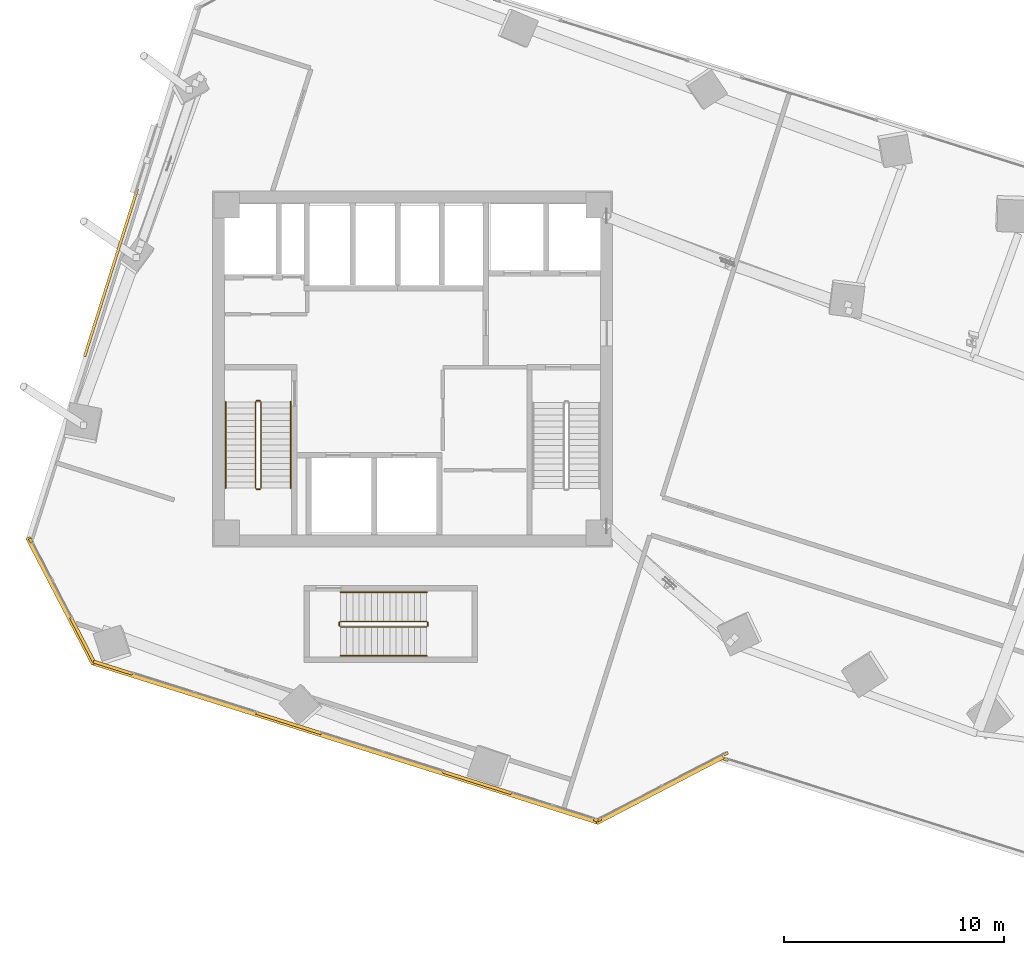
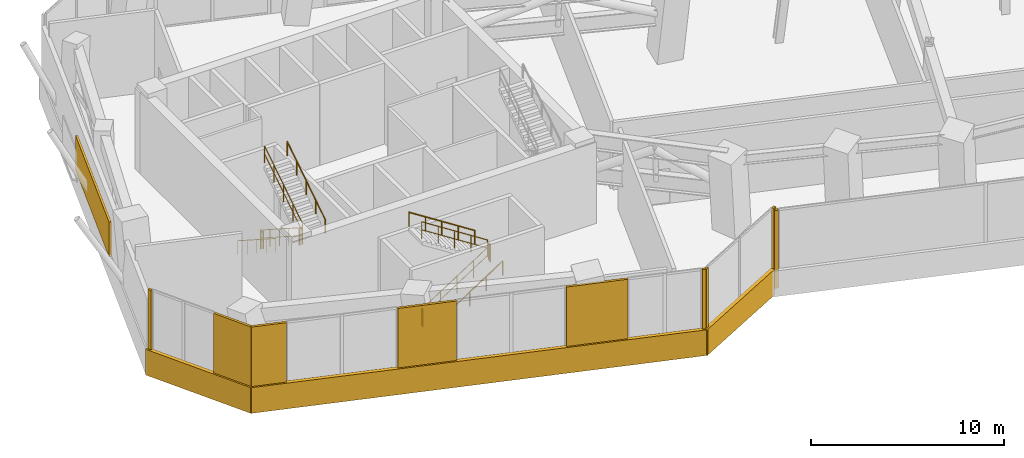
# One storey, part 25 of 29: 12 coverings, 12 railings, 1 shading device.
"""IFC4 building model written with IfcOpenShell, lengths in metres."""

from ifc_helpers import new_model, si_unit, direction, frame, origin, origin_2d, place, context, subcontext, project, spatial, rectangle, circle, extrude, source, transform, mapped, material, layer, layer_set, type_object, element, save


model = new_model("IFC4")

# Units and contexts
model_context = context("Model", 3, precision=1e-05, world=origin(), true_north=direction((0.0, 1.0)))
body_context = subcontext(model_context, "Body", "Model", "MODEL_VIEW")
ifc_project = project(units=[si_unit("LENGTHUNIT", "METRE"), si_unit("AREAUNIT", "SQUARE_METRE"), si_unit("VOLUMEUNIT", "CUBIC_METRE"), si_unit("PLANEANGLEUNIT", "RADIAN"), si_unit("MASSUNIT", "GRAM", prefix="KILO")], contexts=[model_context])

# Site, building, storey
site_placement = place(None, origin())
site = spatial("IfcSite", under=ifc_project, at=site_placement, CompositionType="ELEMENT")
building_placement = place(site_placement, origin())
building = spatial("IfcBuilding", under=site, at=building_placement, Name="Torre Montelarca", CompositionType="ELEMENT")
storey_placement = place(building_placement, frame((0.0, 0.0, 122.199951171875)))
storey = spatial("IfcBuildingStorey", under=building, at=storey_placement, Name="L27", CompositionType="ELEMENT", Elevation=122.199951171875)

# Railings
ifc_material_1 = material(Name="Powder-coated steel ASTM A500 Grade C", Category="steel")
railing_type_1 = type_object("IfcRailingType", Name="RL-GUARD-1100", PredefinedType="BALUSTRADE", material=ifc_material_1)
railing_1_placement = place(storey_placement, frame((10.85009765625, 30.5, 0.179931640625)))
element("IfcRailing", 1, at=railing_1_placement, inside=storey, type_object=railing_type_1, Name="L27 ST1 stair guard 1", PredefinedType="BALUSTRADE", context=body_context, shape_type="SweptSolid", body=[
    extrude(circle(Radius=0.02392578125, at=origin_2d()), frame((0.0, 0.0, 1.076171875), z_axis=(0.0, -0.841171666519, 0.540768182723), x_axis=(1.0, 0.0, 0.0)), (0.0, 0.0, 1.0), 4.66015625),
    extrude(circle(Radius=0.02099609375, at=origin_2d()), frame((0.0, 0.0, 0.572021484375), z_axis=(0.0, -0.841171666519, 0.540768182723), x_axis=(1.0, 0.0, 0.0)), (0.0, 0.0, 1.0), 4.66015625),
    extrude(circle(Radius=0.02099609375, at=origin_2d()), origin(), (0.0, 0.0, 1.0), 1.052001953125),
    extrude(circle(Radius=0.02099609375, at=origin_2d()), frame((0.0, -0.97998046875, 0.6298828125)), (0.0, 0.0, 1.0), 1.052001953125),
    extrude(circle(Radius=0.02099609375, at=origin_2d()), frame((0.0, -1.9599609375, 1.260009765625)), (0.0, 0.0, 1.0), 1.052001953125),
    extrude(circle(Radius=0.02099609375, at=origin_2d()), frame((0.0, -2.93994140625, 1.89013671875)), (0.0, 0.0, 1.0), 1.052001953125),
    extrude(circle(Radius=0.02099609375, at=origin_2d()), frame((0.0, -3.919921875, 2.52001953125)), (0.0, 0.0, 1.0), 1.052001953125),
])
railing_2_placement = place(storey_placement, frame((10.89990234375, 26.530029296875, 2.699951171875)))
element("IfcRailing", 2, at=railing_2_placement, inside=storey, type_object=railing_type_1, Name="L27 ST1 stair guard 2", PredefinedType="BALUSTRADE", context=body_context, shape_type="SweptSolid", body=[
    extrude(circle(Radius=0.02392578125, at=origin_2d()), frame((0.0, 0.0, 1.076171875), z_axis=(1.0, 0.0, 0.0), x_axis=(0.0, 1.0, 0.0)), (0.0, 0.0, 1.0), 0.150146484375),
    extrude(circle(Radius=0.02099609375, at=origin_2d()), frame((0.0, 0.0, 0.572021484375), z_axis=(1.0, 0.0, 0.0), x_axis=(0.0, 1.0, 0.0)), (0.0, 0.0, 1.0), 0.150146484375),
    extrude(circle(Radius=0.02099609375, at=origin_2d()), origin(), (0.0, 0.0, 1.0), 1.052001953125),
    extrude(circle(Radius=0.02099609375, at=origin_2d()), frame((0.150146484375, 0.0, 0.0)), (0.0, 0.0, 1.0), 1.052001953125),
])
railing_3_placement = place(storey_placement, frame((11.10009765625, 26.580078125, 2.880126953125)))
element("IfcRailing", 3, at=railing_3_placement, inside=storey, type_object=railing_type_1, Name="L27 ST1 stair guard 3", PredefinedType="BALUSTRADE", context=body_context, shape_type="SweptSolid", body=[
    extrude(circle(Radius=0.02392578125, at=origin_2d()), frame((0.0, 0.0, 1.076171875), z_axis=(0.0, 0.841171666519, 0.540768182723), x_axis=(-1.0, 0.0, 0.0)), (0.0, 0.0, 1.0), 4.66015625),
    extrude(circle(Radius=0.02099609375, at=origin_2d()), frame((0.0, 0.0, 0.572021484375), z_axis=(0.0, 0.841171666519, 0.540768182723), x_axis=(-1.0, 0.0, 0.0)), (0.0, 0.0, 1.0), 4.66015625),
    extrude(circle(Radius=0.02099609375, at=origin_2d()), origin(), (0.0, 0.0, 1.0), 1.052001953125),
    extrude(circle(Radius=0.02099609375, at=origin_2d()), frame((0.0, 0.97998046875, 0.6298828125)), (0.0, 0.0, 1.0), 1.052001953125),
    extrude(circle(Radius=0.02099609375, at=origin_2d()), frame((0.0, 1.9599609375, 1.260009765625)), (0.0, 0.0, 1.0), 1.052001953125),
    extrude(circle(Radius=0.02099609375, at=origin_2d()), frame((0.0, 2.93994140625, 1.89013671875)), (0.0, 0.0, 1.0), 1.052001953125),
    extrude(circle(Radius=0.02099609375, at=origin_2d()), frame((0.0, 3.919921875, 2.52001953125)), (0.0, 0.0, 1.0), 1.052001953125),
])
railing_4_placement = place(storey_placement, frame((10.89990234375, 30.550048828125, 0.0)))
element("IfcRailing", 4, at=railing_4_placement, inside=storey, type_object=railing_type_1, Name="L27 ST1 stair guard 4", PredefinedType="BALUSTRADE", context=body_context, shape_type="SweptSolid", body=[
    extrude(circle(Radius=0.02392578125, at=origin_2d()), frame((0.0, 0.0, 1.076171875), z_axis=(1.0, 0.0, 0.0), x_axis=(0.0, 1.0, 0.0)), (0.0, 0.0, 1.0), 0.150146484375),
    extrude(circle(Radius=0.02099609375, at=origin_2d()), frame((0.0, 0.0, 0.572021484375), z_axis=(1.0, 0.0, 0.0), x_axis=(0.0, 1.0, 0.0)), (0.0, 0.0, 1.0), 0.150146484375),
    extrude(circle(Radius=0.02099609375, at=origin_2d()), origin(), (0.0, 0.0, 1.0), 1.052001953125),
    extrude(circle(Radius=0.02099609375, at=origin_2d()), frame((0.150146484375, 0.0, 0.0)), (0.0, 0.0, 1.0), 1.052001953125),
])
railing_5_placement = place(storey_placement, frame((14.719970703125, 20.27001953125, 0.179931640625)))
element("IfcRailing", 5, at=railing_5_placement, inside=storey, type_object=railing_type_1, Name="L27 ST3 stair guard 1", PredefinedType="BALUSTRADE", context=body_context, shape_type="SweptSolid", body=[
    extrude(circle(Radius=0.02392578125, at=origin_2d()), frame((0.0, 0.0, 1.076171875), z_axis=(0.841171666519, 0.0, 0.540768182723), x_axis=(0.0, 1.0, 0.0)), (0.0, 0.0, 1.0), 4.66015625),
    extrude(circle(Radius=0.02099609375, at=origin_2d()), frame((0.0, 0.0, 0.572021484375), z_axis=(0.841171666519, 0.0, 0.540768182723), x_axis=(0.0, 1.0, 0.0)), (0.0, 0.0, 1.0), 4.66015625),
    extrude(circle(Radius=0.02099609375, at=origin_2d()), origin(), (0.0, 0.0, 1.0), 1.052001953125),
    extrude(circle(Radius=0.02099609375, at=origin_2d()), frame((0.97998046875, 0.0, 0.6298828125)), (0.0, 0.0, 1.0), 1.052001953125),
    extrude(circle(Radius=0.02099609375, at=origin_2d()), frame((1.9599609375, 0.0, 1.260009765625)), (0.0, 0.0, 1.0), 1.052001953125),
    extrude(circle(Radius=0.02099609375, at=origin_2d()), frame((2.93994140625, 0.0, 1.89013671875)), (0.0, 0.0, 1.0), 1.052001953125),
    extrude(circle(Radius=0.02099609375, at=origin_2d()), frame((3.919921875, 0.0, 2.52001953125)), (0.0, 0.0, 1.0), 1.052001953125),
])
railing_6_placement = place(storey_placement, frame((18.68994140625, 20.320068359375, 2.699951171875)))
element("IfcRailing", 6, at=railing_6_placement, inside=storey, type_object=railing_type_1, Name="L27 ST3 stair guard 2", PredefinedType="BALUSTRADE", context=body_context, shape_type="SweptSolid", body=[
    extrude(circle(Radius=0.02392578125, at=origin_2d()), frame((0.0, 0.0, 1.076171875), z_axis=(0.0, 1.0, 0.0), x_axis=(-1.0, 0.0, 0.0)), (0.0, 0.0, 1.0), 0.14990234375),
    extrude(circle(Radius=0.02099609375, at=origin_2d()), frame((0.0, 0.0, 0.572021484375), z_axis=(0.0, 1.0, 0.0), x_axis=(-1.0, 0.0, 0.0)), (0.0, 0.0, 1.0), 0.14990234375),
    extrude(circle(Radius=0.02099609375, at=origin_2d()), origin(), (0.0, 0.0, 1.0), 1.052001953125),
    extrude(circle(Radius=0.02099609375, at=origin_2d()), frame((0.0, 0.14990234375, 0.0)), (0.0, 0.0, 1.0), 1.052001953125),
])
railing_7_placement = place(storey_placement, frame((18.639892578125, 20.52001953125, 2.880126953125)))
element("IfcRailing", 7, at=railing_7_placement, inside=storey, type_object=railing_type_1, Name="L27 ST3 stair guard 3", PredefinedType="BALUSTRADE", context=body_context, shape_type="SweptSolid", body=[
    extrude(circle(Radius=0.02392578125, at=origin_2d()), frame((0.0, 0.0, 1.076171875), z_axis=(-0.841171666519, 0.0, 0.540768182723), x_axis=(0.0, -1.0, 0.0)), (0.0, 0.0, 1.0), 4.66015625),
    extrude(circle(Radius=0.02099609375, at=origin_2d()), frame((0.0, 0.0, 0.572021484375), z_axis=(-0.841171666519, 0.0, 0.540768182723), x_axis=(0.0, -1.0, 0.0)), (0.0, 0.0, 1.0), 4.66015625),
    extrude(circle(Radius=0.02099609375, at=origin_2d()), origin(), (0.0, 0.0, 1.0), 1.052001953125),
    extrude(circle(Radius=0.02099609375, at=origin_2d()), frame((-0.97998046875, 0.0, 0.6298828125)), (0.0, 0.0, 1.0), 1.052001953125),
    extrude(circle(Radius=0.02099609375, at=origin_2d()), frame((-1.9599609375, 0.0, 1.260009765625)), (0.0, 0.0, 1.0), 1.052001953125),
    extrude(circle(Radius=0.02099609375, at=origin_2d()), frame((-2.93994140625, 0.0, 1.89013671875)), (0.0, 0.0, 1.0), 1.052001953125),
    extrude(circle(Radius=0.02099609375, at=origin_2d()), frame((-3.919921875, 0.0, 2.52001953125)), (0.0, 0.0, 1.0), 1.052001953125),
])
railing_8_placement = place(storey_placement, frame((14.669921875, 20.320068359375, 0.0)))
element("IfcRailing", 8, at=railing_8_placement, inside=storey, type_object=railing_type_1, Name="L27 ST3 stair guard 4", PredefinedType="BALUSTRADE", context=body_context, shape_type="SweptSolid", body=[
    extrude(circle(Radius=0.02392578125, at=origin_2d()), frame((0.0, 0.0, 1.076171875), z_axis=(0.0, 1.0, 0.0), x_axis=(-1.0, 0.0, 0.0)), (0.0, 0.0, 1.0), 0.14990234375),
    extrude(circle(Radius=0.02099609375, at=origin_2d()), frame((0.0, 0.0, 0.572021484375), z_axis=(0.0, 1.0, 0.0), x_axis=(-1.0, 0.0, 0.0)), (0.0, 0.0, 1.0), 0.14990234375),
    extrude(circle(Radius=0.02099609375, at=origin_2d()), origin(), (0.0, 0.0, 1.0), 1.052001953125),
    extrude(circle(Radius=0.02099609375, at=origin_2d()), frame((0.0, 0.14990234375, 0.0)), (0.0, 0.0, 1.0), 1.052001953125),
])
ifc_material_2 = material(Name="Brushed stainless steel AISI 316", Category="steel")
railing_type_2 = type_object("IfcRailingType", Name="RL-HANDRAIL-900", PredefinedType="HANDRAIL", material=ifc_material_2)
railing_9_placement = place(storey_placement, frame((9.5, 30.5, 0.179931640625)))
element("IfcRailing", 9, at=railing_9_placement, inside=storey, type_object=railing_type_2, Name="L27 ST1 stair handrail 1", PredefinedType="HANDRAIL", context=body_context, shape_type="SweptSolid", body=[
    extrude(circle(Radius=0.02392578125, at=origin_2d()), frame((0.0, 0.0, 0.8759765625), z_axis=(0.0, -0.841171666519, 0.540768182723), x_axis=(1.0, 0.0, 0.0)), (0.0, 0.0, 1.0), 4.66015625),
    extrude(circle(Radius=0.02099609375, at=origin_2d()), origin(), (0.0, 0.0, 1.0), 0.851806640625),
    extrude(circle(Radius=0.02099609375, at=origin_2d()), frame((0.0, -0.97998046875, 0.6298828125)), (0.0, 0.0, 1.0), 0.851806640625),
    extrude(circle(Radius=0.02099609375, at=origin_2d()), frame((0.0, -1.9599609375, 1.260009765625)), (0.0, 0.0, 1.0), 0.851806640625),
    extrude(circle(Radius=0.02099609375, at=origin_2d()), frame((0.0, -2.93994140625, 1.89013671875)), (0.0, 0.0, 1.0), 0.851806640625),
    extrude(circle(Radius=0.02099609375, at=origin_2d()), frame((0.0, -3.919921875, 2.52001953125)), (0.0, 0.0, 1.0), 0.851806640625),
])
railing_10_placement = place(storey_placement, frame((12.449951171875, 26.580078125, 2.880126953125)))
element("IfcRailing", 10, at=railing_10_placement, inside=storey, type_object=railing_type_2, Name="L27 ST1 stair handrail 2", PredefinedType="HANDRAIL", context=body_context, shape_type="SweptSolid", body=[
    extrude(circle(Radius=0.02392578125, at=origin_2d()), frame((0.0, 0.0, 0.8759765625), z_axis=(0.0, 0.841171666519, 0.540768182723), x_axis=(-1.0, 0.0, 0.0)), (0.0, 0.0, 1.0), 4.66015625),
    extrude(circle(Radius=0.02099609375, at=origin_2d()), origin(), (0.0, 0.0, 1.0), 0.851806640625),
    extrude(circle(Radius=0.02099609375, at=origin_2d()), frame((0.0, 0.97998046875, 0.6298828125)), (0.0, 0.0, 1.0), 0.851806640625),
    extrude(circle(Radius=0.02099609375, at=origin_2d()), frame((0.0, 1.9599609375, 1.260009765625)), (0.0, 0.0, 1.0), 0.851806640625),
    extrude(circle(Radius=0.02099609375, at=origin_2d()), frame((0.0, 2.93994140625, 1.89013671875)), (0.0, 0.0, 1.0), 0.851806640625),
    extrude(circle(Radius=0.02099609375, at=origin_2d()), frame((0.0, 3.919921875, 2.52001953125)), (0.0, 0.0, 1.0), 0.851806640625),
])
railing_11_placement = place(storey_placement, frame((14.719970703125, 18.949951171875, 0.179931640625)))
element("IfcRailing", 11, at=railing_11_placement, inside=storey, type_object=railing_type_2, Name="L27 ST3 stair handrail 1", PredefinedType="HANDRAIL", context=body_context, shape_type="SweptSolid", body=[
    extrude(circle(Radius=0.02392578125, at=origin_2d()), frame((0.0, 0.0, 0.8759765625), z_axis=(0.841171666519, 0.0, 0.540768182723), x_axis=(0.0, 1.0, 0.0)), (0.0, 0.0, 1.0), 4.66015625),
    extrude(circle(Radius=0.02099609375, at=origin_2d()), origin(), (0.0, 0.0, 1.0), 0.851806640625),
    extrude(circle(Radius=0.02099609375, at=origin_2d()), frame((0.97998046875, 0.0, 0.6298828125)), (0.0, 0.0, 1.0), 0.851806640625),
    extrude(circle(Radius=0.02099609375, at=origin_2d()), frame((1.9599609375, 0.0, 1.260009765625)), (0.0, 0.0, 1.0), 0.851806640625),
    extrude(circle(Radius=0.02099609375, at=origin_2d()), frame((2.93994140625, 0.0, 1.89013671875)), (0.0, 0.0, 1.0), 0.851806640625),
    extrude(circle(Radius=0.02099609375, at=origin_2d()), frame((3.919921875, 0.0, 2.52001953125)), (0.0, 0.0, 1.0), 0.851806640625),
])
railing_12_placement = place(storey_placement, frame((18.639892578125, 21.840087890625, 2.880126953125)))
element("IfcRailing", 12, at=railing_12_placement, inside=storey, type_object=railing_type_2, Name="L27 ST3 stair handrail 2", PredefinedType="HANDRAIL", context=body_context, shape_type="SweptSolid", body=[
    extrude(circle(Radius=0.02392578125, at=origin_2d()), frame((0.0, 0.0, 0.8759765625), z_axis=(-0.841171666519, 0.0, 0.540768182723), x_axis=(0.0, -1.0, 0.0)), (0.0, 0.0, 1.0), 4.66015625),
    extrude(circle(Radius=0.02099609375, at=origin_2d()), origin(), (0.0, 0.0, 1.0), 0.851806640625),
    extrude(circle(Radius=0.02099609375, at=origin_2d()), frame((-0.97998046875, 0.0, 0.6298828125)), (0.0, 0.0, 1.0), 0.851806640625),
    extrude(circle(Radius=0.02099609375, at=origin_2d()), frame((-1.9599609375, 0.0, 1.260009765625)), (0.0, 0.0, 1.0), 0.851806640625),
    extrude(circle(Radius=0.02099609375, at=origin_2d()), frame((-2.93994140625, 0.0, 1.89013671875)), (0.0, 0.0, 1.0), 0.851806640625),
    extrude(circle(Radius=0.02099609375, at=origin_2d()), frame((-3.919921875, 0.0, 2.52001953125)), (0.0, 0.0, 1.0), 0.851806640625),
])

# Coverings
ifc_material_3 = material(Name="Bush-hammered warm white precast concrete C45/55", Category="concrete")
ifc_layer_1 = layer(ifc_material_3, 0.139892578125, Name="Bush-hammered warm white precast concrete C45/55", Category="concrete")
ifc_layer_set_1 = layer_set([ifc_layer_1], Name="Bush-hammered warm white precast concrete C45/55")
covering_type = type_object("IfcCoveringType", Name="COV-TRAY-CLAD", PredefinedType="CLADDING", material=ifc_layer_set_1)
shared_shape_1 = source(origin(), body_context, "Body", "SweptSolid", [
    extrude(rectangle(XDim=24.219970703125, YDim=0.219970703125, at=origin_2d()), origin(), (0.0, 0.0, 1.0), 1.6201171875),
])
covering_1_placement = place(storey_placement, frame((14.939453125, 15.016845703125, -0.449951171875), z_axis=(0.0, 0.0, 1.0), x_axis=(0.953716950748, -0.300705799504, 0.0)))
element("IfcCovering", 13, at=covering_1_placement, inside=storey, type_object=covering_type, Name="L27 Architectural White Spandrel Tray Band TRYBOT-01", PredefinedType="CLADDING", context=body_context, shape_type="MappedRepresentation", body=[
    mapped(shared_shape_1, transform((0.0, 0.0, 0.0), scale=1.0)),
])
shared_shape_2 = source(origin(), body_context, "Body", "SweptSolid", [
    extrude(rectangle(XDim=6.48388671875, YDim=0.219970703125, at=origin_2d()), origin(), (0.0, 0.0, 1.0), 1.6201171875),
])
for number, where, z_axis, x_axis, name in (
    (14, (29.231201171875, 12.860595703125, -0.449951171875), (0.0, 0.0, 1.0), (0.88701405677, 0.46174242072, 0.0), "L27 Architectural White Spandrel Tray Band TRYBOT-02"),
    (15, (1.995361328125, 21.447998046875, -0.449951171875), (0.0, 0.0, 1.0), (0.461754805728, -0.887007609543, 0.0), "L27 Architectural White Spandrel Tray Band TRYBOT-11"),
):
    element("IfcCovering", number, at=place(storey_placement, frame(where, z_axis=z_axis, x_axis=x_axis)), inside=storey, type_object=covering_type, Name=name, PredefinedType="CLADDING", context=body_context, shape_type="MappedRepresentation", body=[
        mapped(shared_shape_2, transform((0.0, 0.0, 0.0), scale=1.0)),
    ])
shared_shape_3 = source(origin(), body_context, "Body", "SweptSolid", [
    extrude(rectangle(XDim=1.8642578125, YDim=0.139892578125, at=origin_2d()), origin(), (0.0, 0.0, 1.0), 4.919921875),
])
covering_2_placement = place(storey_placement, frame((4.369140625, 18.41259765625, 0.0), z_axis=(0.0, 0.0, 1.0), x_axis=(0.953717475577, -0.300704134954, 0.0)))
element("IfcCovering", 16, at=covering_2_placement, inside=storey, type_object=covering_type, Name="L27 Architectural Column Pier Cladding E01-1", PredefinedType="CLADDING", context=body_context, shape_type="MappedRepresentation", body=[
    mapped(shared_shape_3, transform((0.0, 0.0, 0.0), scale=1.0)),
])
shared_shape_4 = source(origin(), body_context, "Body", "SweptSolid", [
    extrude(rectangle(XDim=0.199951171875, YDim=0.139892578125, at=origin_2d()), origin(), (0.0, 0.0, 1.0), 4.919921875),
])
for number, where, z_axis, x_axis, name in (
    (17, (26.33935546875, 11.4853515625, 0.0), (0.0, 0.0, 1.0), (0.953717475577, -0.300704134954, 0.0), "L27 Architectural Column Pier Cladding E01-4"),
    (18, (26.48388671875, 11.498046875, 0.0), (0.0, 0.0, 1.0), (0.88701163908, 0.461747065108, 0.0), "L27 Architectural Column Pier Cladding E02-1"),
    (19, (32.24951171875, 14.49951171875, 0.0), (0.0, 0.0, 1.0), (0.88701163908, 0.461747065108, 0.0), "L27 Architectural Column Pier Cladding E02-2"),
    (20, (32.247802734375, 14.23583984375, 0.0), (0.0, 0.0, 1.0), (0.953718000404, -0.300702470402, 0.0), "L27 Architectural Column Pier Cladding E04-1"),
    (21, (0.6328125, 24.195556640625, 0.0), (0.0, 0.0, 1.0), (0.461748613235, -0.887010833178, 0.0), "L27 Architectural Column Pier Cladding E11-1"),
):
    element("IfcCovering", number, at=place(storey_placement, frame(where, z_axis=z_axis, x_axis=x_axis)), inside=storey, type_object=covering_type, Name=name, PredefinedType="CLADDING", context=body_context, shape_type="MappedRepresentation", body=[
        mapped(shared_shape_4, transform((0.0, 0.0, 0.0), scale=1.0)),
    ])
shared_shape_5 = source(origin(), body_context, "Body", "SweptSolid", [
    extrude(rectangle(XDim=3.10693359375, YDim=0.139892578125, at=origin_2d()), origin(), (0.0, 0.0, 1.0), 4.919921875),
])
covering_3_placement = place(storey_placement, frame((12.360107421875, 15.89306640625, 0.0), z_axis=(0.0, 0.0, 1.0), x_axis=(0.953717475577, -0.300704134954, 0.0)))
element("IfcCovering", 22, at=covering_3_placement, inside=storey, type_object=covering_type, Name="L27 Architectural Column Pier Cladding E01-2", PredefinedType="CLADDING", context=body_context, shape_type="MappedRepresentation", body=[
    mapped(shared_shape_5, transform((0.0, 0.0, 0.0), scale=1.0)),
])
shared_shape_6 = source(origin(), body_context, "Body", "SweptSolid", [
    extrude(rectangle(XDim=3.265380859375, YDim=0.139892578125, at=origin_2d()), origin(), (0.0, 0.0, 1.0), 4.919921875),
])
covering_4_placement = place(storey_placement, frame((20.939453125, 13.18798828125, 0.0), z_axis=(0.0, 0.0, 1.0), x_axis=(0.953717475577, -0.300704134954, 0.0)))
element("IfcCovering", 23, at=covering_4_placement, inside=storey, type_object=covering_type, Name="L27 Architectural Column Pier Cladding E01-3", PredefinedType="CLADDING", context=body_context, shape_type="MappedRepresentation", body=[
    mapped(shared_shape_6, transform((0.0, 0.0, 0.0), scale=1.0)),
])

# Shading device
ifc_material_4 = material(Name="Architectural perforated terracotta ceramic", Category="masonry")
ifc_layer_2 = layer(ifc_material_4, 0.080078125, Name="Architectural perforated terracotta ceramic", Category="masonry")
ifc_layer_set_2 = layer_set([ifc_layer_2], Name="Architectural perforated terracotta ceramic")
shading_device_type = type_object("IfcShadingDeviceType", Name="SHD-JALOUSIE-1", PredefinedType="JALOUSIE", material=ifc_layer_set_2)
shared_shape_7 = source(origin(), body_context, "Body", "SweptSolid", [
    extrude(rectangle(XDim=8.0, YDim=0.1201171875, at=origin_2d()), origin(), (0.0, 0.0, 1.0), 2.199951171875),
])
shading_device_placement = place(storey_placement, frame((4.280517578125, 36.380859375, 1.02734375), z_axis=(0.0, 0.0, 1.0), x_axis=(-0.300707464054, -0.953716425916, 0.0)))
element("IfcShadingDevice", 24, at=shading_device_placement, inside=storey, type_object=shading_device_type, Name="L27 Belt-Truss Mechanical Louvre Screen E10", PredefinedType="JALOUSIE", context=body_context, shape_type="MappedRepresentation", body=[
    mapped(shared_shape_7, transform((0.0, 0.0, 0.0), scale=1.0)),
])

# Covering
shared_shape_8 = source(origin(), body_context, "Body", "SweptSolid", [
    extrude(rectangle(XDim=2.29541015625, YDim=0.139892578125, at=origin_2d()), origin(), (0.0, 0.0, 1.0), 4.919921875),
])
covering_5_placement = place(storey_placement, frame((2.980712890625, 19.685302734375, 0.0), z_axis=(0.0, 0.0, 1.0), x_axis=(0.461748613235, -0.887010833178, 0.0)))
element("IfcCovering", 25, at=covering_5_placement, inside=storey, type_object=covering_type, Name="L27 Architectural Column Pier Cladding E11-2", PredefinedType="CLADDING", context=body_context, shape_type="MappedRepresentation", body=[
    mapped(shared_shape_8, transform((0.0, 0.0, 0.0), scale=1.0)),
])

save(model, "model.ifc")
